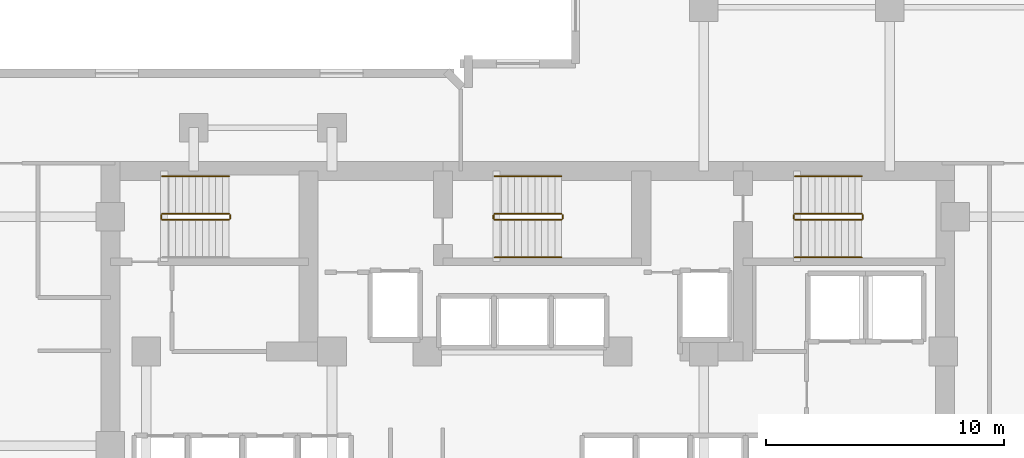
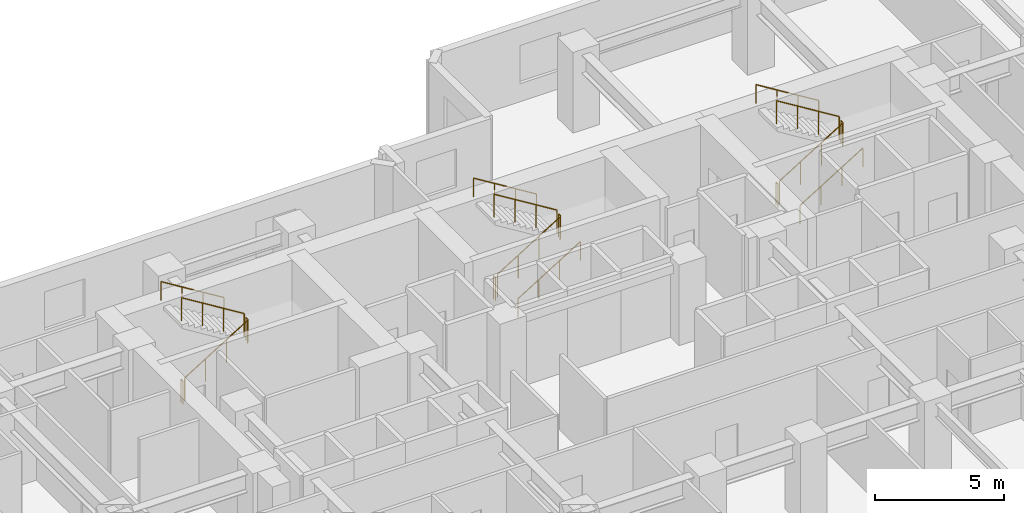
# One storey, part 12 of 12: 17 railings.
"""IFC4 building model written with IfcOpenShell, lengths in metres."""

from ifc_helpers import new_model, si_unit, direction, frame, origin, origin_2d, place, context, subcontext, project, spatial, circle, extrude, material, type_object, element, save


model = new_model("IFC4")

# Units and contexts
model_context = context("Model", 3, precision=1e-05, world=origin(), true_north=direction((0.0, 1.0)))
body_context = subcontext(model_context, "Body", "Model", "MODEL_VIEW")
ifc_project = project(units=[si_unit("LENGTHUNIT", "METRE"), si_unit("AREAUNIT", "SQUARE_METRE"), si_unit("VOLUMEUNIT", "CUBIC_METRE"), si_unit("PLANEANGLEUNIT", "RADIAN"), si_unit("MASSUNIT", "GRAM", prefix="KILO")], contexts=[model_context])

# Site, building, storey
site_placement = place(None, origin())
site = spatial("IfcSite", under=ifc_project, at=site_placement, CompositionType="ELEMENT")
building_placement = place(site_placement, origin())
building = spatial("IfcBuilding", under=site, at=building_placement, Name="Kestravale Grand Hotel", CompositionType="ELEMENT")
storey_placement = place(building_placement, frame((0.0, 0.0, 95.60009765625)))
storey = spatial("IfcBuildingStorey", under=building, at=storey_placement, Name="L23", CompositionType="ELEMENT", Elevation=95.60009765625)

# Railings
ifc_material_1 = material(Name="Painted tubular steel stair well guard", Category="steel")
railing_type_1 = type_object("IfcRailingType", Name="RL-ST-GRD1100", PredefinedType="GUARDRAIL", material=ifc_material_1)
railing_1_placement = place(storey_placement, frame((24.080078125, 38.280029296875, 0.172607421875)))
element("IfcRailing", 1, at=railing_1_placement, inside=storey, type_object=railing_type_1, Name="L23 ST-1 stair guard 1", PredefinedType="GUARDRAIL", context=body_context, shape_type="SweptSolid", body=[
    extrude(circle(Radius=0.02392578125, at=origin_2d()), frame((0.0, 0.0, 1.076171875), z_axis=(0.851069175582, 0.0, 0.525053576669), x_axis=(0.0, 1.0, 0.0)), (0.0, 0.0, 1.0), 3.289794921875),
    extrude(circle(Radius=0.02099609375, at=origin_2d()), origin(), (0.0, 0.0, 1.0), 1.052001953125),
    extrude(circle(Radius=0.02099609375, at=origin_2d()), frame((0.933349609375, 0.0, 0.57568359375)), (0.0, 0.0, 1.0), 1.052001953125),
    extrude(circle(Radius=0.02099609375, at=origin_2d()), frame((1.866455078125, 0.0, 1.151611328125)), (0.0, 0.0, 1.0), 1.052001953125),
    extrude(circle(Radius=0.02099609375, at=origin_2d()), frame((2.7998046875, 0.0, 1.727294921875)), (0.0, 0.0, 1.0), 1.052001953125),
])
railing_2_placement = place(storey_placement, frame((26.929931640625, 38.330078125, 1.89990234375)))
element("IfcRailing", 2, at=railing_2_placement, inside=storey, type_object=railing_type_1, Name="L23 ST-1 stair guard 2", PredefinedType="GUARDRAIL", context=body_context, shape_type="SweptSolid", body=[
    extrude(circle(Radius=0.02392578125, at=origin_2d()), frame((0.0, 0.0, 1.076171875), z_axis=(0.0, 1.0, 0.0), x_axis=(-1.0, 0.0, 0.0)), (0.0, 0.0, 1.0), 0.14990234375),
    extrude(circle(Radius=0.02099609375, at=origin_2d()), origin(), (0.0, 0.0, 1.0), 1.052001953125),
    extrude(circle(Radius=0.02099609375, at=origin_2d()), frame((0.0, 0.14990234375, 0.0)), (0.0, 0.0, 1.0), 1.052001953125),
])
railing_3_placement = place(storey_placement, frame((26.8798828125, 38.530029296875, 2.072509765625)))
element("IfcRailing", 3, at=railing_3_placement, inside=storey, type_object=railing_type_1, Name="L23 ST-1 stair guard 3", PredefinedType="GUARDRAIL", context=body_context, shape_type="SweptSolid", body=[
    extrude(circle(Radius=0.02392578125, at=origin_2d()), frame((0.0, 0.0, 1.076171875), z_axis=(-0.851069175582, 0.0, 0.525053576669), x_axis=(0.0, -1.0, 0.0)), (0.0, 0.0, 1.0), 3.289794921875),
    extrude(circle(Radius=0.02099609375, at=origin_2d()), origin(), (0.0, 0.0, 1.0), 1.052001953125),
    extrude(circle(Radius=0.02099609375, at=origin_2d()), frame((-0.933349609375, 0.0, 0.57568359375)), (0.0, 0.0, 1.0), 1.052001953125),
    extrude(circle(Radius=0.02099609375, at=origin_2d()), frame((-1.866455078125, 0.0, 1.151611328125)), (0.0, 0.0, 1.0), 1.052001953125),
    extrude(circle(Radius=0.02099609375, at=origin_2d()), frame((-2.7998046875, 0.0, 1.727294921875)), (0.0, 0.0, 1.0), 1.052001953125),
])
railing_4_placement = place(storey_placement, frame((24.030029296875, 38.330078125, 0.0)))
element("IfcRailing", 4, at=railing_4_placement, inside=storey, type_object=railing_type_1, Name="L23 ST-1 stair guard 4", PredefinedType="GUARDRAIL", context=body_context, shape_type="SweptSolid", body=[
    extrude(circle(Radius=0.02392578125, at=origin_2d()), frame((0.0, 0.0, 1.076171875), z_axis=(0.0, 1.0, 0.0), x_axis=(-1.0, 0.0, 0.0)), (0.0, 0.0, 1.0), 0.14990234375),
    extrude(circle(Radius=0.02099609375, at=origin_2d()), origin(), (0.0, 0.0, 1.0), 1.052001953125),
    extrude(circle(Radius=0.02099609375, at=origin_2d()), frame((0.0, 0.14990234375, 0.0)), (0.0, 0.0, 1.0), 1.052001953125),
])
railing_5_placement = place(storey_placement, frame((38.030029296875, 38.280029296875, 0.172607421875)))
element("IfcRailing", 5, at=railing_5_placement, inside=storey, type_object=railing_type_1, Name="L23 ST-2 stair guard 1", PredefinedType="GUARDRAIL", context=body_context, shape_type="SweptSolid", body=[
    extrude(circle(Radius=0.02392578125, at=origin_2d()), frame((0.0, 0.0, 1.076171875), z_axis=(0.851089632645, 0.0, 0.525020415988), x_axis=(0.0, 1.0, 0.0)), (0.0, 0.0, 1.0), 3.2900390625),
    extrude(circle(Radius=0.02099609375, at=origin_2d()), origin(), (0.0, 0.0, 1.0), 1.052001953125),
    extrude(circle(Radius=0.02099609375, at=origin_2d()), frame((0.933349609375, 0.0, 0.57568359375)), (0.0, 0.0, 1.0), 1.052001953125),
    extrude(circle(Radius=0.02099609375, at=origin_2d()), frame((1.86669921875, 0.0, 1.151611328125)), (0.0, 0.0, 1.0), 1.052001953125),
    extrude(circle(Radius=0.02099609375, at=origin_2d()), frame((2.800048828125, 0.0, 1.727294921875)), (0.0, 0.0, 1.0), 1.052001953125),
])
railing_6_placement = place(storey_placement, frame((40.8798828125, 38.330078125, 1.89990234375)))
element("IfcRailing", 6, at=railing_6_placement, inside=storey, type_object=railing_type_1, Name="L23 ST-2 stair guard 2", PredefinedType="GUARDRAIL", context=body_context, shape_type="SweptSolid", body=[
    extrude(circle(Radius=0.02392578125, at=origin_2d()), frame((0.0, 0.0, 1.076171875), z_axis=(0.0, 1.0, 0.0), x_axis=(-1.0, 0.0, 0.0)), (0.0, 0.0, 1.0), 0.14990234375),
    extrude(circle(Radius=0.02099609375, at=origin_2d()), origin(), (0.0, 0.0, 1.0), 1.052001953125),
    extrude(circle(Radius=0.02099609375, at=origin_2d()), frame((0.0, 0.14990234375, 0.0)), (0.0, 0.0, 1.0), 1.052001953125),
])
railing_7_placement = place(storey_placement, frame((40.830078125, 38.530029296875, 2.072509765625)))
element("IfcRailing", 7, at=railing_7_placement, inside=storey, type_object=railing_type_1, Name="L23 ST-2 stair guard 3", PredefinedType="GUARDRAIL", context=body_context, shape_type="SweptSolid", body=[
    extrude(circle(Radius=0.02392578125, at=origin_2d()), frame((0.0, 0.0, 1.076171875), z_axis=(-0.851089632645, 0.0, 0.525020415988), x_axis=(0.0, -1.0, 0.0)), (0.0, 0.0, 1.0), 3.2900390625),
    extrude(circle(Radius=0.02099609375, at=origin_2d()), origin(), (0.0, 0.0, 1.0), 1.052001953125),
    extrude(circle(Radius=0.02099609375, at=origin_2d()), frame((-0.933349609375, 0.0, 0.57568359375)), (0.0, 0.0, 1.0), 1.052001953125),
    extrude(circle(Radius=0.02099609375, at=origin_2d()), frame((-1.86669921875, 0.0, 1.151611328125)), (0.0, 0.0, 1.0), 1.052001953125),
    extrude(circle(Radius=0.02099609375, at=origin_2d()), frame((-2.800048828125, 0.0, 1.727294921875)), (0.0, 0.0, 1.0), 1.052001953125),
])
railing_8_placement = place(storey_placement, frame((37.97998046875, 38.330078125, 0.0)))
element("IfcRailing", 8, at=railing_8_placement, inside=storey, type_object=railing_type_1, Name="L23 ST-2 stair guard 4", PredefinedType="GUARDRAIL", context=body_context, shape_type="SweptSolid", body=[
    extrude(circle(Radius=0.02392578125, at=origin_2d()), frame((0.0, 0.0, 1.076171875), z_axis=(0.0, 1.0, 0.0), x_axis=(-1.0, 0.0, 0.0)), (0.0, 0.0, 1.0), 0.14990234375),
    extrude(circle(Radius=0.02099609375, at=origin_2d()), origin(), (0.0, 0.0, 1.0), 1.052001953125),
    extrude(circle(Radius=0.02099609375, at=origin_2d()), frame((0.0, 0.14990234375, 0.0)), (0.0, 0.0, 1.0), 1.052001953125),
])
railing_9_placement = place(storey_placement, frame((50.6298828125, 38.280029296875, 0.172607421875)))
element("IfcRailing", 9, at=railing_9_placement, inside=storey, type_object=railing_type_1, Name="L23 ST-3 stair guard 1", PredefinedType="GUARDRAIL", context=body_context, shape_type="SweptSolid", body=[
    extrude(circle(Radius=0.02392578125, at=origin_2d()), frame((0.0, 0.0, 1.076171875), z_axis=(0.851089632645, 0.0, 0.525020415988), x_axis=(0.0, 1.0, 0.0)), (0.0, 0.0, 1.0), 3.2900390625),
    extrude(circle(Radius=0.02099609375, at=origin_2d()), origin(), (0.0, 0.0, 1.0), 1.052001953125),
    extrude(circle(Radius=0.02099609375, at=origin_2d()), frame((0.933349609375, 0.0, 0.57568359375)), (0.0, 0.0, 1.0), 1.052001953125),
    extrude(circle(Radius=0.02099609375, at=origin_2d()), frame((1.86669921875, 0.0, 1.151611328125)), (0.0, 0.0, 1.0), 1.052001953125),
    extrude(circle(Radius=0.02099609375, at=origin_2d()), frame((2.800048828125, 0.0, 1.727294921875)), (0.0, 0.0, 1.0), 1.052001953125),
])
railing_10_placement = place(storey_placement, frame((53.47998046875, 38.330078125, 1.89990234375)))
element("IfcRailing", 10, at=railing_10_placement, inside=storey, type_object=railing_type_1, Name="L23 ST-3 stair guard 2", PredefinedType="GUARDRAIL", context=body_context, shape_type="SweptSolid", body=[
    extrude(circle(Radius=0.02392578125, at=origin_2d()), frame((0.0, 0.0, 1.076171875), z_axis=(0.0, 1.0, 0.0), x_axis=(-1.0, 0.0, 0.0)), (0.0, 0.0, 1.0), 0.14990234375),
    extrude(circle(Radius=0.02099609375, at=origin_2d()), origin(), (0.0, 0.0, 1.0), 1.052001953125),
    extrude(circle(Radius=0.02099609375, at=origin_2d()), frame((0.0, 0.14990234375, 0.0)), (0.0, 0.0, 1.0), 1.052001953125),
])
railing_11_placement = place(storey_placement, frame((53.429931640625, 38.530029296875, 2.072509765625)))
element("IfcRailing", 11, at=railing_11_placement, inside=storey, type_object=railing_type_1, Name="L23 ST-3 stair guard 3", PredefinedType="GUARDRAIL", context=body_context, shape_type="SweptSolid", body=[
    extrude(circle(Radius=0.02392578125, at=origin_2d()), frame((0.0, 0.0, 1.076171875), z_axis=(-0.851089632645, 0.0, 0.525020415988), x_axis=(0.0, -1.0, 0.0)), (0.0, 0.0, 1.0), 3.2900390625),
    extrude(circle(Radius=0.02099609375, at=origin_2d()), origin(), (0.0, 0.0, 1.0), 1.052001953125),
    extrude(circle(Radius=0.02099609375, at=origin_2d()), frame((-0.933349609375, 0.0, 0.57568359375)), (0.0, 0.0, 1.0), 1.052001953125),
    extrude(circle(Radius=0.02099609375, at=origin_2d()), frame((-1.86669921875, 0.0, 1.151611328125)), (0.0, 0.0, 1.0), 1.052001953125),
    extrude(circle(Radius=0.02099609375, at=origin_2d()), frame((-2.800048828125, 0.0, 1.727294921875)), (0.0, 0.0, 1.0), 1.052001953125),
])
railing_12_placement = place(storey_placement, frame((50.580078125, 38.330078125, 0.0)))
element("IfcRailing", 12, at=railing_12_placement, inside=storey, type_object=railing_type_1, Name="L23 ST-3 stair guard 4", PredefinedType="GUARDRAIL", context=body_context, shape_type="SweptSolid", body=[
    extrude(circle(Radius=0.02392578125, at=origin_2d()), frame((0.0, 0.0, 1.076171875), z_axis=(0.0, 1.0, 0.0), x_axis=(-1.0, 0.0, 0.0)), (0.0, 0.0, 1.0), 0.14990234375),
    extrude(circle(Radius=0.02099609375, at=origin_2d()), origin(), (0.0, 0.0, 1.0), 1.052001953125),
    extrude(circle(Radius=0.02099609375, at=origin_2d()), frame((0.0, 0.14990234375, 0.0)), (0.0, 0.0, 1.0), 1.052001953125),
])
ifc_material_2 = material(Name="Brushed stainless steel wall handrail", Category="steel")
railing_type_2 = type_object("IfcRailingType", Name="RL-ST-HND900", PredefinedType="HANDRAIL", material=ifc_material_2)
railing_13_placement = place(storey_placement, frame((26.8798828125, 40.110107421875, 2.072509765625)))
element("IfcRailing", 13, at=railing_13_placement, inside=storey, type_object=railing_type_2, Name="L23 ST-1 stair handrail 2", PredefinedType="HANDRAIL", context=body_context, shape_type="SweptSolid", body=[
    extrude(circle(Radius=0.02392578125, at=origin_2d()), frame((0.0, 0.0, 0.8759765625), z_axis=(-0.851069175582, 0.0, 0.525053576669), x_axis=(0.0, -1.0, 0.0)), (0.0, 0.0, 1.0), 3.289794921875),
    extrude(circle(Radius=0.02099609375, at=origin_2d()), origin(), (0.0, 0.0, 1.0), 0.851806640625),
    extrude(circle(Radius=0.02099609375, at=origin_2d()), frame((-0.933349609375, 0.0, 0.57568359375)), (0.0, 0.0, 1.0), 0.851806640625),
    extrude(circle(Radius=0.02099609375, at=origin_2d()), frame((-1.866455078125, 0.0, 1.151611328125)), (0.0, 0.0, 1.0), 0.851806640625),
    extrude(circle(Radius=0.02099609375, at=origin_2d()), frame((-2.7998046875, 0.0, 1.727294921875)), (0.0, 0.0, 1.0), 0.851806640625),
])
railing_14_placement = place(storey_placement, frame((38.030029296875, 36.699951171875, 0.172607421875)))
element("IfcRailing", 14, at=railing_14_placement, inside=storey, type_object=railing_type_2, Name="L23 ST-2 stair handrail 1", PredefinedType="HANDRAIL", context=body_context, shape_type="SweptSolid", body=[
    extrude(circle(Radius=0.02392578125, at=origin_2d()), frame((0.0, 0.0, 0.8759765625), z_axis=(0.851089632645, 0.0, 0.525020415988), x_axis=(0.0, 1.0, 0.0)), (0.0, 0.0, 1.0), 3.2900390625),
    extrude(circle(Radius=0.02099609375, at=origin_2d()), origin(), (0.0, 0.0, 1.0), 0.851806640625),
    extrude(circle(Radius=0.02099609375, at=origin_2d()), frame((0.933349609375, 0.0, 0.57568359375)), (0.0, 0.0, 1.0), 0.851806640625),
    extrude(circle(Radius=0.02099609375, at=origin_2d()), frame((1.86669921875, 0.0, 1.151611328125)), (0.0, 0.0, 1.0), 0.851806640625),
    extrude(circle(Radius=0.02099609375, at=origin_2d()), frame((2.800048828125, 0.0, 1.727294921875)), (0.0, 0.0, 1.0), 0.851806640625),
])
railing_15_placement = place(storey_placement, frame((40.830078125, 40.110107421875, 2.072509765625)))
element("IfcRailing", 15, at=railing_15_placement, inside=storey, type_object=railing_type_2, Name="L23 ST-2 stair handrail 2", PredefinedType="HANDRAIL", context=body_context, shape_type="SweptSolid", body=[
    extrude(circle(Radius=0.02392578125, at=origin_2d()), frame((0.0, 0.0, 0.8759765625), z_axis=(-0.851089632645, 0.0, 0.525020415988), x_axis=(0.0, -1.0, 0.0)), (0.0, 0.0, 1.0), 3.2900390625),
    extrude(circle(Radius=0.02099609375, at=origin_2d()), origin(), (0.0, 0.0, 1.0), 0.851806640625),
    extrude(circle(Radius=0.02099609375, at=origin_2d()), frame((-0.933349609375, 0.0, 0.57568359375)), (0.0, 0.0, 1.0), 0.851806640625),
    extrude(circle(Radius=0.02099609375, at=origin_2d()), frame((-1.86669921875, 0.0, 1.151611328125)), (0.0, 0.0, 1.0), 0.851806640625),
    extrude(circle(Radius=0.02099609375, at=origin_2d()), frame((-2.800048828125, 0.0, 1.727294921875)), (0.0, 0.0, 1.0), 0.851806640625),
])
railing_16_placement = place(storey_placement, frame((50.6298828125, 36.699951171875, 0.172607421875)))
element("IfcRailing", 16, at=railing_16_placement, inside=storey, type_object=railing_type_2, Name="L23 ST-3 stair handrail 1", PredefinedType="HANDRAIL", context=body_context, shape_type="SweptSolid", body=[
    extrude(circle(Radius=0.02392578125, at=origin_2d()), frame((0.0, 0.0, 0.8759765625), z_axis=(0.851089632645, 0.0, 0.525020415988), x_axis=(0.0, 1.0, 0.0)), (0.0, 0.0, 1.0), 3.2900390625),
    extrude(circle(Radius=0.02099609375, at=origin_2d()), origin(), (0.0, 0.0, 1.0), 0.851806640625),
    extrude(circle(Radius=0.02099609375, at=origin_2d()), frame((0.933349609375, 0.0, 0.57568359375)), (0.0, 0.0, 1.0), 0.851806640625),
    extrude(circle(Radius=0.02099609375, at=origin_2d()), frame((1.86669921875, 0.0, 1.151611328125)), (0.0, 0.0, 1.0), 0.851806640625),
    extrude(circle(Radius=0.02099609375, at=origin_2d()), frame((2.800048828125, 0.0, 1.727294921875)), (0.0, 0.0, 1.0), 0.851806640625),
])
railing_17_placement = place(storey_placement, frame((53.429931640625, 40.110107421875, 2.072509765625)))
element("IfcRailing", 17, at=railing_17_placement, inside=storey, type_object=railing_type_2, Name="L23 ST-3 stair handrail 2", PredefinedType="HANDRAIL", context=body_context, shape_type="SweptSolid", body=[
    extrude(circle(Radius=0.02392578125, at=origin_2d()), frame((0.0, 0.0, 0.8759765625), z_axis=(-0.851089632645, 0.0, 0.525020415988), x_axis=(0.0, -1.0, 0.0)), (0.0, 0.0, 1.0), 3.2900390625),
    extrude(circle(Radius=0.02099609375, at=origin_2d()), origin(), (0.0, 0.0, 1.0), 0.851806640625),
    extrude(circle(Radius=0.02099609375, at=origin_2d()), frame((-0.933349609375, 0.0, 0.57568359375)), (0.0, 0.0, 1.0), 0.851806640625),
    extrude(circle(Radius=0.02099609375, at=origin_2d()), frame((-1.86669921875, 0.0, 1.151611328125)), (0.0, 0.0, 1.0), 0.851806640625),
    extrude(circle(Radius=0.02099609375, at=origin_2d()), frame((-2.800048828125, 0.0, 1.727294921875)), (0.0, 0.0, 1.0), 0.851806640625),
])

save(model, "model.ifc")
